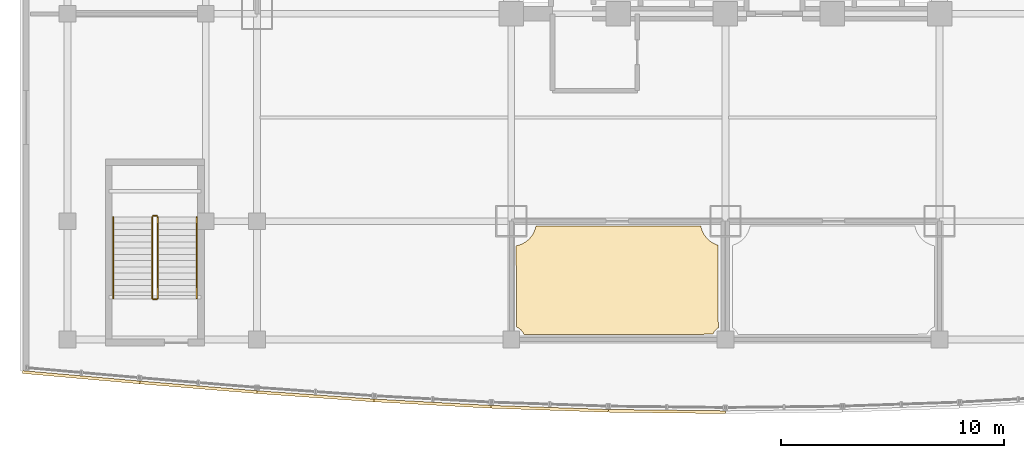
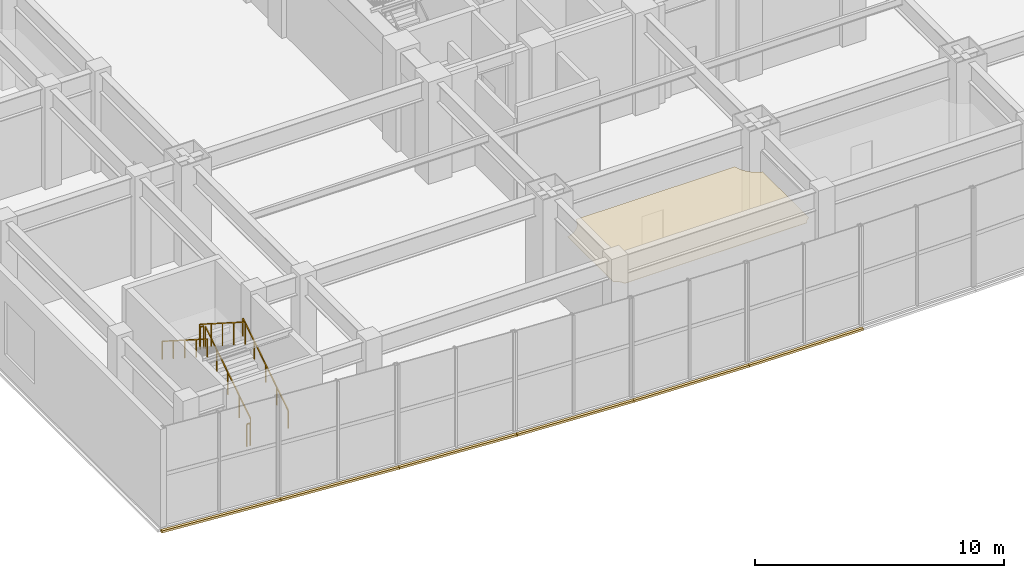
# One storey, part 16 of 24: 7 coverings, 6 railings.
"""IFC4 building model written with IfcOpenShell, lengths in metres."""

from ifc_helpers import new_model, si_unit, direction, frame, origin, origin_2d, place, context, subcontext, project, spatial, polyline, rectangle, outline, extrude, material, layer, layer_set, type_object, element, save


model = new_model("IFC4")

# Units and contexts
model_context = context("Model", 3, precision=1e-05, world=origin(), true_north=direction((0.0, 1.0)))
body_context = subcontext(model_context, "Body", "Model", "MODEL_VIEW")
ifc_project = project(units=[si_unit("LENGTHUNIT", "METRE"), si_unit("AREAUNIT", "SQUARE_METRE"), si_unit("VOLUMEUNIT", "CUBIC_METRE"), si_unit("PLANEANGLEUNIT", "RADIAN"), si_unit("MASSUNIT", "GRAM", prefix="KILO")], contexts=[model_context])

# Site, building, storey
site_placement = place(None, origin())
site = spatial("IfcSite", under=ifc_project, at=site_placement, CompositionType="ELEMENT")
building_placement = place(site_placement, origin())
building = spatial("IfcBuilding", under=site, at=building_placement, Name="Vantalir Tower", CompositionType="ELEMENT")
storey_placement = place(building_placement, frame((0.0, 0.0, 11.0)))
storey = spatial("IfcBuildingStorey", under=building, at=storey_placement, Name="L02", CompositionType="ELEMENT", Elevation=11.0)

# Coverings
ifc_material_1 = material(Name="Perforated acoustic gypsum ceiling board", Category="gypsum")
ifc_layer_1 = layer(ifc_material_1, 0.02001953125)
ifc_layer_set_1 = layer_set([ifc_layer_1], Name="Perforated acoustic gypsum ceiling board")
covering_type_1 = type_object("IfcCoveringType", Name="COV-ACOUSTIC-CEIL-20", PredefinedType="CEILING", material=ifc_layer_set_1)
covering_1_placement = place(storey_placement, frame((0.0, 0.0, 3.1298828125)))
element("IfcCovering", 1, at=covering_1_placement, inside=storey, type_object=covering_type_1, Name="Level 02 Executive Boardroom 1 Suspended Ceiling", PredefinedType="CEILING", context=body_context, shape_type="SweptSolid", body=[
    extrude(outline(polyline([(31.173095703125, 7.4208984375), (31.068115234375, 7.4580078125), (30.968017578125, 7.5048828125), (30.873046875, 7.56201171875), (30.783935546875, 7.6279296875), (30.701904296875, 7.701904296875), (30.6279296875, 7.783935546875), (30.56201171875, 7.873046875), (30.5048828125, 7.968017578125), (30.4580078125, 8.068115234375), (30.4208984375, 8.173095703125), (30.39404296875, 8.280029296875), (23.006103515625, 8.280029296875), (22.97900390625, 8.173095703125), (22.94189453125, 8.068115234375), (22.89501953125, 7.968017578125), (22.837890625, 7.873046875), (22.77197265625, 7.783935546875), (22.697998046875, 7.701904296875), (22.615966796875, 7.6279296875), (22.527099609375, 7.56201171875), (22.431884765625, 7.5048828125), (22.33203125, 7.4580078125), (22.22705078125, 7.4208984375), (22.1201171875, 7.39404296875), (22.133056640625, 3.761962890625), (22.18701171875, 3.736083984375), (22.238037109375, 3.7060546875), (22.285888671875, 3.669921875), (22.330078125, 3.6298828125), (22.3701171875, 3.5859375), (22.406005859375, 3.5380859375), (22.43603515625, 3.487060546875), (22.466064453125, 3.419921875), (30.93798828125, 3.43310546875), (30.964111328125, 3.487060546875), (30.993896484375, 3.5380859375), (31.030029296875, 3.5859375), (31.070068359375, 3.6298828125), (31.114013671875, 3.669921875), (31.162109375, 3.7060546875), (31.179931640625, 3.716064453125), (31.173095703125, 7.4208984375)])), origin(), (0.0, 0.0, 1.0), 0.02001953125),
])
ifc_material_2 = material(Name="Anodised champagne aluminium sill fascia", Category="aluminium")
ifc_layer_2 = layer(ifc_material_2, 0.125)
ifc_layer_set_2 = layer_set([ifc_layer_2], Name="Anodised champagne aluminium sill fascia")
covering_type_2 = type_object("IfcCoveringType", Name="COV-SLAB-FASCIA-125", PredefinedType="CLADDING", material=ifc_layer_set_2)
covering_2_placement = place(storey_placement, frame((0.0, 0.0, -0.179931640625)))
element("IfcCovering", 2, at=covering_2_placement, inside=storey, type_object=covering_type_2, Name="Level 02 South Prow Slab-Edge Fascia 01", PredefinedType="CLADDING", context=body_context, shape_type="SweptSolid", body=[
    extrude(outline(polyline([(0.0, 1.800048828125), (-0.010986328125, 1.675048828125), (5.239013671875, 1.208984375), (5.25, 1.333984375), (0.0, 1.800048828125)])), origin(), (0.0, 0.0, 1.0), 0.10498046875),
])
covering_3_placement = place(storey_placement, frame((0.0, 0.0, -0.179931640625)))
element("IfcCovering", 3, at=covering_3_placement, inside=storey, type_object=covering_type_2, Name="Level 02 South Prow Slab-Edge Fascia 02", PredefinedType="CLADDING", context=body_context, shape_type="SweptSolid", body=[
    extrude(outline(polyline([(5.25, 1.333984375), (5.239990234375, 1.208984375), (10.489990234375, 0.77490234375), (10.5, 0.89990234375), (5.25, 1.333984375)])), origin(), (0.0, 0.0, 1.0), 0.10498046875),
])
covering_4_placement = place(storey_placement, frame((0.0, 0.0, -0.179931640625)))
element("IfcCovering", 4, at=covering_4_placement, inside=storey, type_object=covering_type_2, Name="Level 02 South Prow Slab-Edge Fascia 03", PredefinedType="CLADDING", context=body_context, shape_type="SweptSolid", body=[
    extrude(outline(polyline([(10.5, 0.89990234375), (10.490966796875, 0.77490234375), (15.740966796875, 0.402099609375), (15.75, 0.527099609375), (10.5, 0.89990234375)])), origin(), (0.0, 0.0, 1.0), 0.10498046875),
])
covering_5_placement = place(storey_placement, frame((0.0, 0.0, -0.179931640625)))
element("IfcCovering", 5, at=covering_5_placement, inside=storey, type_object=covering_type_2, Name="Level 02 South Prow Slab-Edge Fascia 04", PredefinedType="CLADDING", context=body_context, shape_type="SweptSolid", body=[
    extrude(outline(polyline([(15.75, 0.527099609375), (15.742919921875, 0.402099609375), (20.992919921875, 0.115966796875), (21.0, 0.240966796875), (15.75, 0.527099609375)])), origin(), (0.0, 0.0, 1.0), 0.10498046875),
])
covering_6_placement = place(storey_placement, frame((0.0, 0.0, -0.179931640625)))
element("IfcCovering", 6, at=covering_6_placement, inside=storey, type_object=covering_type_2, Name="Level 02 South Prow Slab-Edge Fascia 05", PredefinedType="CLADDING", context=body_context, shape_type="SweptSolid", body=[
    extrude(outline(polyline([(21.0, 0.240966796875), (20.99609375, 0.115966796875), (26.24609375, -0.06396484375), (26.25, 0.06103515625), (21.0, 0.240966796875)])), origin(), (0.0, 0.0, 1.0), 0.10498046875),
])
covering_7_placement = place(storey_placement, frame((0.0, 0.0, -0.179931640625)))
element("IfcCovering", 7, at=covering_7_placement, inside=storey, type_object=covering_type_2, Name="Level 02 South Prow Slab-Edge Fascia 06", PredefinedType="CLADDING", context=body_context, shape_type="SweptSolid", body=[
    extrude(outline(polyline([(26.25, 0.06103515625), (26.2490234375, -0.06396484375), (31.4990234375, -0.125), (31.5, 0.0), (26.25, 0.06103515625)])), origin(), (0.0, 0.0, 1.0), 0.10498046875),
])

# Railings
ifc_material_3 = material(Name="Anodised aluminium and stainless steel guard", Category="steel")
railing_type_1 = type_object("IfcRailingType", Name="RAL-GUARD-1120", PredefinedType="GUARDRAIL", material=ifc_material_3)
railing_1_placement = place(storey_placement, frame((6.050048828125, 5.050048828125, 0.178466796875)))
element("IfcRailing", 8, at=railing_1_placement, inside=storey, type_object=railing_type_1, Name="Level 02 PST3 stair guard 1", PredefinedType="GUARDRAIL", context=body_context, shape_type="SweptSolid", body=[
    extrude(rectangle(XDim=0.048095703125, YDim=0.048095703125, at=origin_2d()), frame((0.0, 0.0, 1.09619140625), z_axis=(0.0, 0.843111507901, 0.53773877045), x_axis=(-1.0, 0.0, 0.0)), (0.0, 0.0, 1.0), 4.317138671875),
    extrude(rectangle(XDim=0.0419921875, YDim=0.0419921875, at=origin_2d()), origin(), (0.0, 0.0, 1.0), 1.072021484375),
    extrude(rectangle(XDim=0.0419921875, YDim=0.0419921875, at=origin_2d()), frame((0.0, 0.909912109375, 0.580322265625)), (0.0, 0.0, 1.0), 1.072021484375),
    extrude(rectangle(XDim=0.0419921875, YDim=0.0419921875, at=origin_2d()), frame((0.0, 1.81982421875, 1.16064453125)), (0.0, 0.0, 1.0), 1.072021484375),
    extrude(rectangle(XDim=0.0419921875, YDim=0.0419921875, at=origin_2d()), frame((0.0, 2.72998046875, 1.7412109375)), (0.0, 0.0, 1.0), 1.072021484375),
    extrude(rectangle(XDim=0.0419921875, YDim=0.0419921875, at=origin_2d()), frame((0.0, 3.639892578125, 2.321533203125)), (0.0, 0.0, 1.0), 1.072021484375),
])
railing_2_placement = place(storey_placement, frame((6.0, 8.739990234375, 2.5)))
element("IfcRailing", 9, at=railing_2_placement, inside=storey, type_object=railing_type_1, Name="Level 02 PST3 stair guard 2", PredefinedType="GUARDRAIL", context=body_context, shape_type="SweptSolid", body=[
    extrude(rectangle(XDim=0.048095703125, YDim=0.048095703125, at=origin_2d()), frame((0.0, 0.0, 1.09619140625), z_axis=(-1.0, 0.0, 0.0), x_axis=(0.0, -1.0, 0.0)), (0.0, 0.0, 1.0), 0.14990234375),
    extrude(rectangle(XDim=0.0419921875, YDim=0.0419921875, at=origin_2d()), origin(), (0.0, 0.0, 1.0), 1.072021484375),
    extrude(rectangle(XDim=0.0419921875, YDim=0.0419921875, at=origin_2d()), frame((-0.14990234375, 0.0, 0.0)), (0.0, 0.0, 1.0), 1.072021484375),
])
railing_3_placement = place(storey_placement, frame((5.800048828125, 8.68994140625, 2.678466796875)))
element("IfcRailing", 10, at=railing_3_placement, inside=storey, type_object=railing_type_1, Name="Level 02 PST3 stair guard 3", PredefinedType="GUARDRAIL", context=body_context, shape_type="SweptSolid", body=[
    extrude(rectangle(XDim=0.048095703125, YDim=0.048095703125, at=origin_2d()), frame((0.0, 0.0, 1.09619140625), z_axis=(0.0, -0.843111507901, 0.53773877045), x_axis=(1.0, 0.0, 0.0)), (0.0, 0.0, 1.0), 4.317138671875),
    extrude(rectangle(XDim=0.0419921875, YDim=0.0419921875, at=origin_2d()), origin(), (0.0, 0.0, 1.0), 1.072021484375),
    extrude(rectangle(XDim=0.0419921875, YDim=0.0419921875, at=origin_2d()), frame((0.0, -0.909912109375, 0.580322265625)), (0.0, 0.0, 1.0), 1.072021484375),
    extrude(rectangle(XDim=0.0419921875, YDim=0.0419921875, at=origin_2d()), frame((0.0, -1.81982421875, 1.16064453125)), (0.0, 0.0, 1.0), 1.072021484375),
    extrude(rectangle(XDim=0.0419921875, YDim=0.0419921875, at=origin_2d()), frame((0.0, -2.72998046875, 1.7412109375)), (0.0, 0.0, 1.0), 1.072021484375),
    extrude(rectangle(XDim=0.0419921875, YDim=0.0419921875, at=origin_2d()), frame((0.0, -3.639892578125, 2.321533203125)), (0.0, 0.0, 1.0), 1.072021484375),
])
railing_4_placement = place(storey_placement, frame((6.0, 5.0, 0.0)))
element("IfcRailing", 11, at=railing_4_placement, inside=storey, type_object=railing_type_1, Name="Level 02 PST3 stair guard 4", PredefinedType="GUARDRAIL", context=body_context, shape_type="SweptSolid", body=[
    extrude(rectangle(XDim=0.048095703125, YDim=0.048095703125, at=origin_2d()), frame((0.0, 0.0, 1.09619140625), z_axis=(-1.0, 0.0, 0.0), x_axis=(0.0, -1.0, 0.0)), (0.0, 0.0, 1.0), 0.14990234375),
    extrude(rectangle(XDim=0.0419921875, YDim=0.0419921875, at=origin_2d()), origin(), (0.0, 0.0, 1.0), 1.072021484375),
    extrude(rectangle(XDim=0.0419921875, YDim=0.0419921875, at=origin_2d()), frame((-0.14990234375, 0.0, 0.0)), (0.0, 0.0, 1.0), 1.072021484375),
])
ifc_material_4 = material(Name="Brushed stainless steel tubular handrail", Category="steel")
railing_type_2 = type_object("IfcRailingType", Name="RAL-HANDRAIL-900", PredefinedType="HANDRAIL", material=ifc_material_4)
railing_5_placement = place(storey_placement, frame((7.800048828125, 5.050048828125, 0.178466796875)))
element("IfcRailing", 12, at=railing_5_placement, inside=storey, type_object=railing_type_2, Name="Level 02 PST3 stair handrail 1", PredefinedType="HANDRAIL", context=body_context, shape_type="SweptSolid", body=[
    extrude(rectangle(XDim=0.048095703125, YDim=0.048095703125, at=origin_2d()), frame((0.0, 0.0, 0.8759765625), z_axis=(0.0, 0.843111507901, 0.53773877045), x_axis=(-1.0, 0.0, 0.0)), (0.0, 0.0, 1.0), 4.317138671875),
    extrude(rectangle(XDim=0.0419921875, YDim=0.0419921875, at=origin_2d()), origin(), (0.0, 0.0, 1.0), 0.851806640625),
    extrude(rectangle(XDim=0.0419921875, YDim=0.0419921875, at=origin_2d()), frame((0.0, 0.909912109375, 0.580322265625)), (0.0, 0.0, 1.0), 0.851806640625),
    extrude(rectangle(XDim=0.0419921875, YDim=0.0419921875, at=origin_2d()), frame((0.0, 1.81982421875, 1.16064453125)), (0.0, 0.0, 1.0), 0.851806640625),
    extrude(rectangle(XDim=0.0419921875, YDim=0.0419921875, at=origin_2d()), frame((0.0, 2.72998046875, 1.7412109375)), (0.0, 0.0, 1.0), 0.851806640625),
    extrude(rectangle(XDim=0.0419921875, YDim=0.0419921875, at=origin_2d()), frame((0.0, 3.639892578125, 2.321533203125)), (0.0, 0.0, 1.0), 0.851806640625),
])
railing_6_placement = place(storey_placement, frame((4.050048828125, 8.68994140625, 2.678466796875)))
element("IfcRailing", 13, at=railing_6_placement, inside=storey, type_object=railing_type_2, Name="Level 02 PST3 stair handrail 2", PredefinedType="HANDRAIL", context=body_context, shape_type="SweptSolid", body=[
    extrude(rectangle(XDim=0.048095703125, YDim=0.048095703125, at=origin_2d()), frame((0.0, 0.0, 0.8759765625), z_axis=(0.0, -0.843111507901, 0.53773877045), x_axis=(1.0, 0.0, 0.0)), (0.0, 0.0, 1.0), 4.317138671875),
    extrude(rectangle(XDim=0.0419921875, YDim=0.0419921875, at=origin_2d()), origin(), (0.0, 0.0, 1.0), 0.851806640625),
    extrude(rectangle(XDim=0.0419921875, YDim=0.0419921875, at=origin_2d()), frame((0.0, -0.909912109375, 0.580322265625)), (0.0, 0.0, 1.0), 0.851806640625),
    extrude(rectangle(XDim=0.0419921875, YDim=0.0419921875, at=origin_2d()), frame((0.0, -1.81982421875, 1.16064453125)), (0.0, 0.0, 1.0), 0.851806640625),
    extrude(rectangle(XDim=0.0419921875, YDim=0.0419921875, at=origin_2d()), frame((0.0, -2.72998046875, 1.7412109375)), (0.0, 0.0, 1.0), 0.851806640625),
    extrude(rectangle(XDim=0.0419921875, YDim=0.0419921875, at=origin_2d()), frame((0.0, -3.639892578125, 2.321533203125)), (0.0, 0.0, 1.0), 0.851806640625),
])

save(model, "model.ifc")
